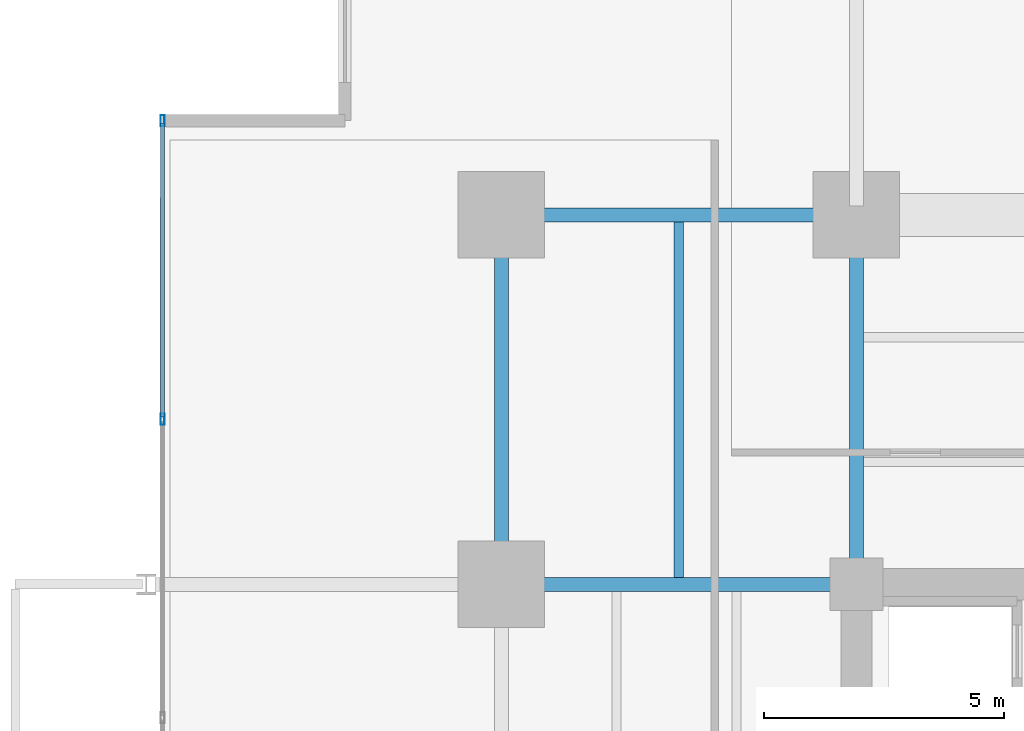
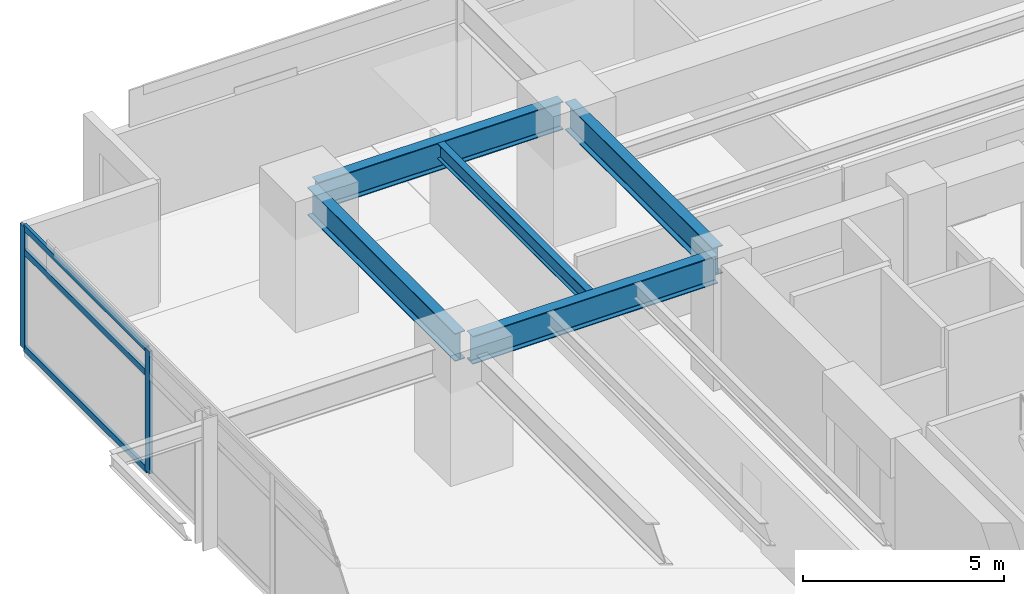
# One storey, part 12 of 21: 5 beams, 5 members, 1 element without a shape of its own.
"""IFC4 building model written with IfcOpenShell, lengths in metres."""

from ifc_helpers import new_model, si_unit, direction, frame, origin, origin_2d, place, context, subcontext, project, spatial, hollow_rectangle, i_section, extrude, material, material_profile, profile_set, type_object, element, aggregate, save


model = new_model("IFC4")

# Units and contexts
model_context = context("Model", 3, precision=1e-05, world=origin(), true_north=direction((0.0, 1.0)))
body_context = subcontext(model_context, "Body", "Model", "MODEL_VIEW")
ifc_project = project(units=[si_unit("LENGTHUNIT", "METRE"), si_unit("AREAUNIT", "SQUARE_METRE"), si_unit("VOLUMEUNIT", "CUBIC_METRE"), si_unit("PLANEANGLEUNIT", "RADIAN"), si_unit("MASSUNIT", "GRAM", prefix="KILO")], contexts=[model_context])

# Site, building, storey
site_placement = place(None, origin())
site = spatial("IfcSite", under=ifc_project, at=site_placement, CompositionType="ELEMENT")
building_placement = place(site_placement, origin())
building = spatial("IfcBuilding", under=site, at=building_placement, Name="Kovane Verandah Tower", CompositionType="ELEMENT")
storey_placement = place(building_placement, frame((0.0, 0.0, 47.60009765625)))
storey = spatial("IfcBuildingStorey", under=building, at=storey_placement, Name="L10", CompositionType="ELEMENT", Elevation=47.60009765625)

# Beams
ifc_material_1 = material(Name="Steel S355", Category="steel")
ifc_material_profile_1 = material_profile(ifc_material_1, i_section(OverallWidth=0.293701171875, OverallDepth=0.850830078125, WebThickness=0.01611328125, FlangeThickness=0.02685546875, FilletRadius=0.017822265625, at=origin_2d()), Name="UB838x292x226")
ifc_profile_set_1 = profile_set([ifc_material_profile_1], Name="Steel S355")
beam_type_1 = type_object("IfcBeamType", Name="BM-UB838x226", PredefinedType="BEAM", material=ifc_profile_set_1)
beam_1_placement = place(storey_placement, frame((21.780029296875, 44.199951171875, 3.33447265625), z_axis=(1.0, 0.0, 0.0), x_axis=(0.0, 1.0, 0.0)))
element("IfcBeam", 1, at=beam_1_placement, inside=storey, type_object=beam_type_1, Name="L10 Primary Tower Girder G-RN1", PredefinedType="BEAM", context=body_context, shape_type="SweptSolid", body=[
    extrude(i_section(OverallWidth=0.293701171875, OverallDepth=0.850830078125, WebThickness=0.01611328125, FlangeThickness=0.02685546875, FilletRadius=0.017822265625, at=origin_2d()), origin(), (0.0, 0.0, 1.0), 7.0400390625),
])
beam_2_placement = place(storey_placement, frame((21.60009765625, 36.679931640625, 3.33447265625), z_axis=(0.0, 1.0, 0.0), x_axis=(-1.0, 0.0, 0.0)))
element("IfcBeam", 2, at=beam_2_placement, inside=storey, type_object=beam_type_1, Name="L10 Primary Tower Girder G-RW3", PredefinedType="BEAM", context=body_context, shape_type="SweptSolid", body=[
    extrude(i_section(OverallWidth=0.293701171875, OverallDepth=0.850830078125, WebThickness=0.01611328125, FlangeThickness=0.02685546875, FilletRadius=0.017822265625, at=origin_2d()), origin(), (0.0, 0.0, 1.0), 7.340087890625),
])
beam_3_placement = place(storey_placement, frame((28.820068359375, 36.5, 3.33447265625), z_axis=(-1.0, 0.0, 0.0), x_axis=(0.0, -1.0, 0.0)))
element("IfcBeam", 3, at=beam_3_placement, inside=storey, type_object=beam_type_1, Name="L10 Primary Tower Girder G-W2", PredefinedType="BEAM", context=body_context, shape_type="SweptSolid", body=[
    extrude(i_section(OverallWidth=0.293701171875, OverallDepth=0.850830078125, WebThickness=0.01611328125, FlangeThickness=0.02685546875, FilletRadius=0.017822265625, at=origin_2d()), origin(), (0.0, 0.0, 1.0), 7.0400390625),
])
beam_4_placement = place(storey_placement, frame((29.0, 36.679931640625, 3.33447265625), z_axis=(0.0, 1.0, 0.0), x_axis=(-1.0, 0.0, 0.0)))
element("IfcBeam", 4, at=beam_4_placement, inside=storey, type_object=beam_type_1, Name="L10 Primary Tower Girder G-N1", PredefinedType="BEAM", context=body_context, shape_type="SweptSolid", body=[
    extrude(i_section(OverallWidth=0.293701171875, OverallDepth=0.850830078125, WebThickness=0.01611328125, FlangeThickness=0.02685546875, FilletRadius=0.017822265625, at=origin_2d()), origin(), (0.0, 0.0, 1.0), 7.340087890625),
])

# Curtain wall, members
ifc_material_2 = material(Name="Champagne Anodised Aluminium Frame with Low-E Clear Laminated Glass", Category="aluminium")
curtain_wall_type = type_object("IfcCurtainWallType", Name="CW-SYS-02-LOW", PredefinedType="NOTDEFINED", material=ifc_material_2)
curtain_wall_placement = place(storey_placement, origin())
curtain_wall = element("IfcCurtainWall", 5, at=curtain_wall_placement, inside=storey, type_object=curtain_wall_type, Name="L10 W Unitised Curtain Wall", PredefinedType="NOTDEFINED")
ifc_material_3 = material(Name="Champagne Anodised Aluminium 6063-T6", Category="aluminium")
ifc_material_profile_2 = material_profile(ifc_material_3, hollow_rectangle(XDim=0.0849609375, YDim=0.22998046875, WallThickness=0.00390625, at=origin_2d()), Name="AL85x230x4")
ifc_profile_set_2 = profile_set([ifc_material_profile_2], Name="Champagne Anodised Aluminium 6063-T6")
member_type_1 = type_object("IfcMemberType", Name="CW-MUL-85x230", PredefinedType="MULLION", material=ifc_profile_set_2)
member_1_placement = place(storey_placement, frame((14.541015625, 46.161376953125, 0.02001953125), z_axis=(0.0, 0.0, 1.0), x_axis=(-1.0, 0.0, 0.0)))
member_1 = element("IfcMember", 6, at=member_1_placement, type_object=member_type_1, Name="L10 W Unitised Curtain Wall Mullion 1", PredefinedType="MULLION", context=body_context, shape_type="SweptSolid", body=[
    extrude(hollow_rectangle(XDim=0.0849609375, YDim=0.22998046875, WallThickness=0.00390625, at=origin_2d()), origin(), (0.0, 0.0, 1.0), 3.719970703125),
])
member_2_placement = place(storey_placement, frame((14.541015625, 39.94091796875, 0.02001953125), z_axis=(0.0, 0.0, 1.0), x_axis=(-1.0, 0.0, 0.0)))
member_2 = element("IfcMember", 7, at=member_2_placement, type_object=member_type_1, Name="L10 W Unitised Curtain Wall Mullion 2", PredefinedType="MULLION", context=body_context, shape_type="SweptSolid", body=[
    extrude(hollow_rectangle(XDim=0.0849609375, YDim=0.22998046875, WallThickness=0.00390625, at=origin_2d()), origin(), (0.0, 0.0, 1.0), 3.719970703125),
])
ifc_material_profile_3 = material_profile(ifc_material_3, hollow_rectangle(XDim=0.0849609375, YDim=0.18994140625, WallThickness=0.00390625, at=origin_2d()), Name="AL85x190x4")
ifc_profile_set_3 = profile_set([ifc_material_profile_3], Name="Champagne Anodised Aluminium 6063-T6")
member_type_2 = type_object("IfcMemberType", Name="CW-TRN-85x190", PredefinedType="USERDEFINED", material=ifc_profile_set_3)
member_3_placement = place(storey_placement, frame((14.541015625, 46.111328125, 0.0498046875), z_axis=(0.0, -1.0, 0.0), x_axis=(1.0, 0.0, 0.0)))
member_3 = element("IfcMember", 8, at=member_3_placement, type_object=member_type_2, Name="L10 W Unitised Curtain Wall Transom TB Bay 1", ObjectType="TRANSOM", PredefinedType="USERDEFINED", context=body_context, shape_type="SweptSolid", body=[
    extrude(hollow_rectangle(XDim=0.0849609375, YDim=0.18994140625, WallThickness=0.00390625, at=origin_2d()), origin(), (0.0, 0.0, 1.0), 6.120361328125),
])
member_4_placement = place(storey_placement, frame((14.541015625, 46.111328125, 2.97998046875), z_axis=(0.0, -1.0, 0.0), x_axis=(1.0, 0.0, 0.0)))
member_4 = element("IfcMember", 9, at=member_4_placement, type_object=member_type_2, Name="L10 W Unitised Curtain Wall Transom TM Bay 1", ObjectType="TRANSOM", PredefinedType="USERDEFINED", context=body_context, shape_type="SweptSolid", body=[
    extrude(hollow_rectangle(XDim=0.0849609375, YDim=0.18994140625, WallThickness=0.00390625, at=origin_2d()), origin(), (0.0, 0.0, 1.0), 6.120361328125),
])
member_5_placement = place(storey_placement, frame((14.541015625, 46.111328125, 3.7099609375), z_axis=(0.0, -1.0, 0.0), x_axis=(1.0, 0.0, 0.0)))
member_5 = element("IfcMember", 10, at=member_5_placement, type_object=member_type_2, Name="L10 W Unitised Curtain Wall Transom TT Bay 1", ObjectType="TRANSOM", PredefinedType="USERDEFINED", context=body_context, shape_type="SweptSolid", body=[
    extrude(hollow_rectangle(XDim=0.0849609375, YDim=0.18994140625, WallThickness=0.00390625, at=origin_2d()), origin(), (0.0, 0.0, 1.0), 6.120361328125),
])
aggregate(curtain_wall, [member_1, member_2, member_3, member_4, member_5])

# Beam
ifc_material_profile_4 = material_profile(ifc_material_1, i_section(OverallWidth=0.19287109375, OverallDepth=0.46728515625, WebThickness=0.011474609375, FlangeThickness=0.01953125, FilletRadius=0.01025390625, at=origin_2d()), Name="UB457x191x98")
ifc_profile_set_4 = profile_set([ifc_material_profile_4], Name="Steel S355")
beam_type_2 = type_object("IfcBeamType", Name="JST-UB457x98", PredefinedType="JOIST", material=ifc_profile_set_4)
beam_5_placement = place(storey_placement, frame((25.300048828125, 36.64501953125, 3.5263671875), z_axis=(0.0, 1.0, 0.0), x_axis=(-1.0, 0.0, 0.0)))
element("IfcBeam", 11, at=beam_5_placement, inside=storey, type_object=beam_type_2, Name="L10 Secondary Composite Joist J-NW1", PredefinedType="JOIST", context=body_context, shape_type="SweptSolid", body=[
    extrude(i_section(OverallWidth=0.19287109375, OverallDepth=0.46728515625, WebThickness=0.011474609375, FlangeThickness=0.01953125, FilletRadius=0.01025390625, at=origin_2d()), origin(), (0.0, 0.0, 1.0), 7.41015625),
])

save(model, "model.ifc")
